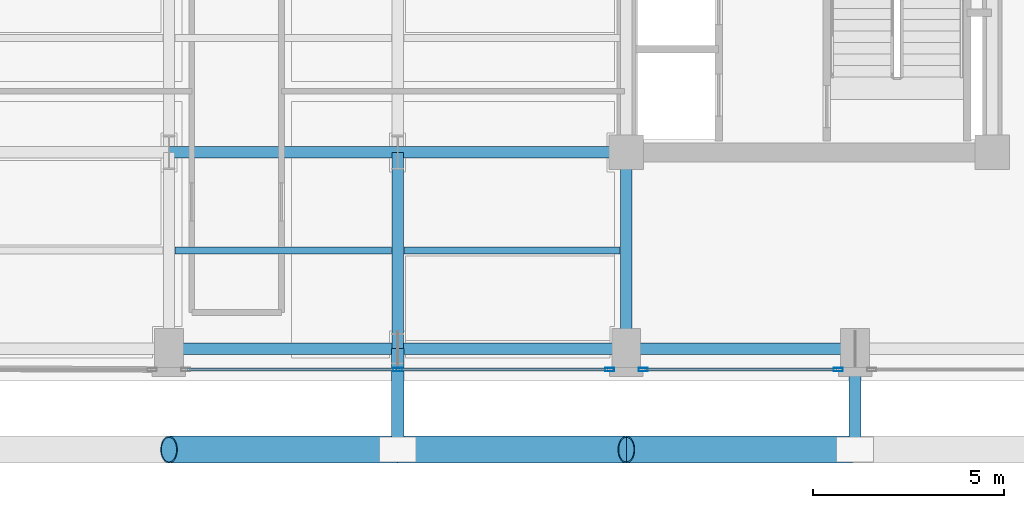
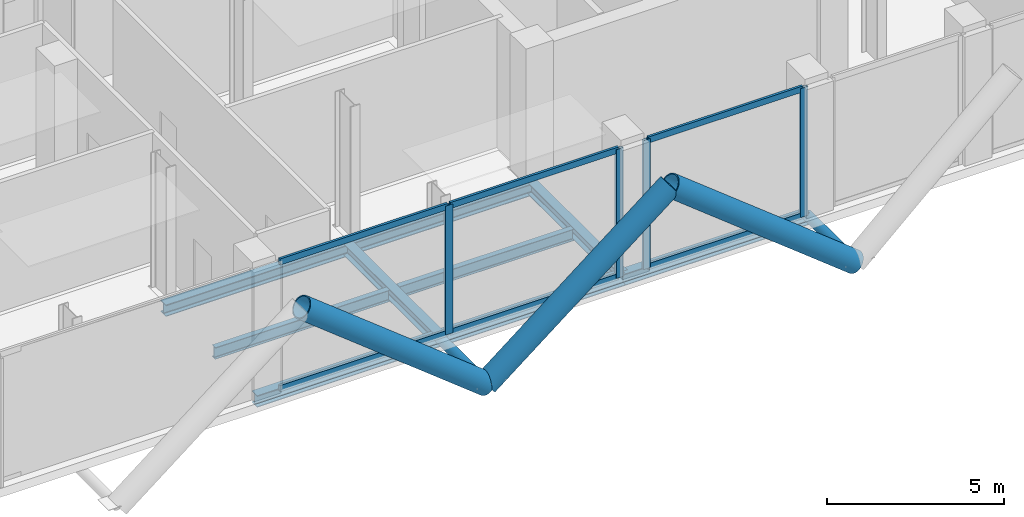
# One storey, part 3 of 19: 15 members, 9 beams, 2 elements without a shape of their own.
"""IFC4 building model written with IfcOpenShell, lengths in metres."""

from ifc_helpers import new_model, si_unit, direction, frame, origin, origin_2d, place, context, subcontext, project, spatial, hollow_rectangle, hollow_circle, i_section, extrude, material, layer, layer_set, material_profile, profile_set, type_object, element, aggregate, save


model = new_model("IFC4")

# Units and contexts
model_context = context("Model", 3, precision=1e-05, world=origin(), true_north=direction((0.0, 1.0)))
body_context = subcontext(model_context, "Body", "Model", "MODEL_VIEW")
ifc_project = project(units=[si_unit("LENGTHUNIT", "METRE"), si_unit("AREAUNIT", "SQUARE_METRE"), si_unit("VOLUMEUNIT", "CUBIC_METRE"), si_unit("PLANEANGLEUNIT", "RADIAN"), si_unit("MASSUNIT", "GRAM", prefix="KILO"), si_unit("THERMODYNAMICTEMPERATUREUNIT", "KELVIN"), si_unit("POWERUNIT", "WATT")], contexts=[model_context])

# Site, building, storey
site_placement = place(None, origin())
site = spatial("IfcSite", under=ifc_project, at=site_placement, CompositionType="ELEMENT")
building_placement = place(site_placement, origin())
building = spatial("IfcBuilding", under=site, at=building_placement, Name="Svarakhadi Broadcast Tower", CompositionType="ELEMENT")
storey_placement = place(building_placement, frame((0.0, 0.0, 204.0)))
storey = spatial("IfcBuildingStorey", under=building, at=storey_placement, Name="L50", CompositionType="ELEMENT", Elevation=204.0)

# Beams
ifc_material_1 = material(Name="Steel S355J2 (IS 2062 E350C)", Category="steel")
ifc_material_profile_1 = material_profile(ifc_material_1, i_section(OverallWidth=0.179931640625, OverallDepth=0.39990234375, WebThickness=0.008544921875, FlangeThickness=0.013427734375, FilletRadius=0.02099609375, at=origin_2d()), Name="NPB 400x180x66")
ifc_profile_set_1 = profile_set([ifc_material_profile_1], Name="Steel S355J2 (IS 2062 E350C)")
beam_type_1 = type_object("IfcBeamType", Name="Beam_NPB400", PredefinedType="BEAM", material=ifc_profile_set_1)
for number, where, z_axis, x_axis, name in (
    (1, (12.159912109375, 3.425048828125, -0.5), (1.0, 0.0, 0.0), (0.0, 1.0, 0.0), "L50 Secondary Composite Beam SB009"),
    (2, (18.159912109375, 3.425048828125, -0.5), (1.0, 0.0, 0.0), (0.0, 1.0, 0.0), "L50 Secondary Composite Beam SB013"),
):
    element("IfcBeam", number, at=place(storey_placement, frame(where, z_axis=z_axis, x_axis=x_axis)), inside=storey, type_object=beam_type_1, Name=name, PredefinedType="BEAM", context=body_context, shape_type="SweptSolid", body=[
        extrude(i_section(OverallWidth=0.179931640625, OverallDepth=0.39990234375, WebThickness=0.008544921875, FlangeThickness=0.013427734375, FilletRadius=0.02099609375, at=origin_2d()), origin(), (0.0, 0.0, 1.0), 5.68017578125),
    ])

# Curtain wall, members
ifc_material_2 = material(Name="Anodised Bronze Aluminium AA 6063-T6", Category="aluminium")
ifc_layer = layer(ifc_material_2, 0.239990234375)
ifc_layer_set = layer_set([ifc_layer], Name="Anodised Bronze Aluminium AA 6063-T6")
curtain_wall_type = type_object("IfcCurtainWallType", Name="CW_Sys_06", PredefinedType="NOTDEFINED", material=ifc_layer_set)
curtain_wall_1_placement = place(storey_placement, origin())
curtain_wall_1 = element("IfcCurtainWall", 3, at=curtain_wall_1_placement, inside=storey, type_object=curtain_wall_type, Name="L50 South Curtain Wall 14 Bay 3", PredefinedType="NOTDEFINED")
ifc_material_profile_2 = material_profile(ifc_material_2, hollow_rectangle(XDim=0.090087890625, YDim=0.239990234375, WallThickness=0.006103515625, at=origin_2d()), Name="ALU MULLION 240x90x6")
ifc_profile_set_2 = profile_set([ifc_material_profile_2], Name="Anodised Bronze Aluminium AA 6063-T6")
member_type_1 = type_object("IfcMemberType", Name="CW_Sys_06_Mul", PredefinedType="MULLION", material=ifc_profile_set_2)
member_1_placement = place(storey_placement, frame((29.56005859375, 0.300048828125, 0.0), z_axis=(0.0, 0.0, 1.0), x_axis=(0.0, -1.0, 0.0)))
member_1 = element("IfcMember", 4, at=member_1_placement, type_object=member_type_1, Name="CW-06 mullion 1", PredefinedType="MULLION", context=body_context, shape_type="SweptSolid", body=[
    extrude(hollow_rectangle(XDim=0.090087890625, YDim=0.239990234375, WallThickness=0.006103515625, at=origin_2d()), origin(), (0.0, 0.0, 1.0), 4.43994140625),
])
member_2_placement = place(storey_placement, frame((24.43994140625, 0.300048828125, 0.0), z_axis=(0.0, 0.0, 1.0), x_axis=(0.0, -1.0, 0.0)))
member_2 = element("IfcMember", 5, at=member_2_placement, type_object=member_type_1, Name="CW-06 mullion 2", PredefinedType="MULLION", context=body_context, shape_type="SweptSolid", body=[
    extrude(hollow_rectangle(XDim=0.090087890625, YDim=0.239990234375, WallThickness=0.006103515625, at=origin_2d()), origin(), (0.0, 0.0, 1.0), 4.43994140625),
])

curtain_wall_2_placement = place(storey_placement, origin())
curtain_wall_2 = element("IfcCurtainWall", 6, at=curtain_wall_2_placement, inside=storey, type_object=curtain_wall_type, Name="L50 South Curtain Wall 14 Bay 4", PredefinedType="NOTDEFINED")
member_3_placement = place(storey_placement, frame((23.56005859375, 0.300048828125, 0.0), z_axis=(0.0, 0.0, 1.0), x_axis=(0.0, -1.0, 0.0)))
member_3 = element("IfcMember", 7, at=member_3_placement, type_object=member_type_1, Name="CW-06 mullion 1", PredefinedType="MULLION", context=body_context, shape_type="SweptSolid", body=[
    extrude(hollow_rectangle(XDim=0.090087890625, YDim=0.239990234375, WallThickness=0.006103515625, at=origin_2d()), origin(), (0.0, 0.0, 1.0), 4.43994140625),
])
member_4_placement = place(storey_placement, frame((18.0, 0.300048828125, 0.0), z_axis=(0.0, 0.0, 1.0), x_axis=(0.0, -1.0, 0.0)))
member_4 = element("IfcMember", 8, at=member_4_placement, type_object=member_type_1, Name="CW-06 mullion 2", PredefinedType="MULLION", context=body_context, shape_type="SweptSolid", body=[
    extrude(hollow_rectangle(XDim=0.090087890625, YDim=0.239990234375, WallThickness=0.006103515625, at=origin_2d()), origin(), (0.0, 0.0, 1.0), 4.43994140625),
])

# Member
ifc_material_profile_3 = material_profile(ifc_material_2, hollow_rectangle(XDim=0.080078125, YDim=0.2099609375, WallThickness=0.0048828125, at=origin_2d()), Name="ALU TRANSOM 210x80x5")
ifc_profile_set_3 = profile_set([ifc_material_profile_3], Name="Anodised Bronze Aluminium AA 6063-T6")
member_type_2 = type_object("IfcMemberType", Name="CW_Sys_06_Trn", PredefinedType="USERDEFINED", material=ifc_profile_set_3)
member_5_placement = place(storey_placement, frame((29.514892578125, 0.300048828125, 0.0400390625), z_axis=(-1.0, 0.0, 0.0), x_axis=(0.0, -1.0, 0.0)))
member_5 = element("IfcMember", 9, at=member_5_placement, type_object=member_type_2, Name="CW-06 transom 1.1", ObjectType="TRANSOM", PredefinedType="USERDEFINED", context=body_context, shape_type="SweptSolid", body=[
    extrude(hollow_rectangle(XDim=0.080078125, YDim=0.2099609375, WallThickness=0.0048828125, at=origin_2d()), origin(), (0.0, 0.0, 1.0), 5.02978515625),
])

member_6_placement = place(storey_placement, frame((29.514892578125, 0.300048828125, 4.39990234375), z_axis=(-1.0, 0.0, 0.0), x_axis=(0.0, -1.0, 0.0)))
member_6 = element("IfcMember", 10, at=member_6_placement, type_object=member_type_2, Name="CW-06 transom 1.2", ObjectType="TRANSOM", PredefinedType="USERDEFINED", context=body_context, shape_type="SweptSolid", body=[
    extrude(hollow_rectangle(XDim=0.080078125, YDim=0.2099609375, WallThickness=0.0048828125, at=origin_2d()), origin(), (0.0, 0.0, 1.0), 5.02978515625),
])

aggregate(curtain_wall_1, [member_1, member_2, member_5, member_6])

member_7_placement = place(storey_placement, frame((23.514892578125, 0.300048828125, 0.0400390625), z_axis=(-1.0, 0.0, 0.0), x_axis=(0.0, -1.0, 0.0)))
member_7 = element("IfcMember", 11, at=member_7_placement, type_object=member_type_2, Name="CW-06 transom 1.1", ObjectType="TRANSOM", PredefinedType="USERDEFINED", context=body_context, shape_type="SweptSolid", body=[
    extrude(hollow_rectangle(XDim=0.080078125, YDim=0.2099609375, WallThickness=0.0048828125, at=origin_2d()), origin(), (0.0, 0.0, 1.0), 5.469970703125),
])

member_8_placement = place(storey_placement, frame((23.514892578125, 0.300048828125, 4.39990234375), z_axis=(-1.0, 0.0, 0.0), x_axis=(0.0, -1.0, 0.0)))
member_8 = element("IfcMember", 12, at=member_8_placement, type_object=member_type_2, Name="CW-06 transom 1.2", ObjectType="TRANSOM", PredefinedType="USERDEFINED", context=body_context, shape_type="SweptSolid", body=[
    extrude(hollow_rectangle(XDim=0.080078125, YDim=0.2099609375, WallThickness=0.0048828125, at=origin_2d()), origin(), (0.0, 0.0, 1.0), 5.469970703125),
])

member_9_placement = place(storey_placement, frame((17.955078125, 0.300048828125, 0.0400390625), z_axis=(-1.0, 0.0, 0.0), x_axis=(0.0, -1.0, 0.0)))
member_9 = element("IfcMember", 13, at=member_9_placement, type_object=member_type_2, Name="CW-06 transom 2.1", ObjectType="TRANSOM", PredefinedType="USERDEFINED", context=body_context, shape_type="SweptSolid", body=[
    extrude(hollow_rectangle(XDim=0.080078125, YDim=0.2099609375, WallThickness=0.0048828125, at=origin_2d()), origin(), (0.0, 0.0, 1.0), 5.469970703125),
])

member_10_placement = place(storey_placement, frame((17.955078125, 0.300048828125, 4.39990234375), z_axis=(-1.0, 0.0, 0.0), x_axis=(0.0, -1.0, 0.0)))
member_10 = element("IfcMember", 14, at=member_10_placement, type_object=member_type_2, Name="CW-06 transom 2.2", ObjectType="TRANSOM", PredefinedType="USERDEFINED", context=body_context, shape_type="SweptSolid", body=[
    extrude(hollow_rectangle(XDim=0.080078125, YDim=0.2099609375, WallThickness=0.0048828125, at=origin_2d()), origin(), (0.0, 0.0, 1.0), 5.469970703125),
])

aggregate(curtain_wall_2, [member_3, member_4, member_7, member_8, member_9, member_10])

# Members
ifc_material_3 = material(Name="Steel S460ML (IS 2062 E450BR)", Category="steel")
ifc_material_profile_4 = material_profile(ifc_material_3, hollow_circle(Radius=0.35546875, WallThickness=0.034912109375, at=origin_2d()), Name="CHS 711x35")
ifc_profile_set_4 = profile_set([ifc_material_profile_4], Name="Steel S460ML (IS 2062 E450BR)")
member_type_3 = type_object("IfcMemberType", Name="Exo_Brace_CHS711", PredefinedType="BRACE", material=ifc_profile_set_4)
for number, where, z_axis, x_axis, name in (
    (15, (18.0, -1.800048828125, -0.4619140625), (-0.784682488402, 0.0, 0.619897888685), (0.0, -1.0, 0.0), "L50 Exposed Bronze Exoskeleton Diagonal S02"),
    (16, (18.0, -1.800048828125, -0.4619140625), (0.784682488402, 0.0, 0.619897888685), (0.0, 1.0, 0.0), "L50 Exposed Bronze Exoskeleton Diagonal S03"),
    (17, (30.0, -1.800048828125, -0.4619140625), (-0.784682488402, 0.0, 0.619897888685), (0.0, -1.0, 0.0), "L50 Exposed Bronze Exoskeleton Diagonal S04"),
):
    element("IfcMember", number, at=place(storey_placement, frame(where, z_axis=z_axis, x_axis=x_axis)), inside=storey, type_object=member_type_3, Name=name, PredefinedType="BRACE", context=body_context, shape_type="SweptSolid", body=[
        extrude(hollow_circle(Radius=0.35546875, WallThickness=0.034912109375, at=origin_2d()), origin(), (0.0, 0.0, 1.0), 7.646484375),
    ])
ifc_material_profile_5 = material_profile(ifc_material_3, hollow_circle(Radius=0.161865234375, WallThickness=0.01611328125, at=origin_2d()), Name="CHS 323.9x16")
ifc_profile_set_5 = profile_set([ifc_material_profile_5], Name="Steel S460ML (IS 2062 E450BR)")
member_type_4 = type_object("IfcMemberType", Name="Exo_Radial_Strut_Z2", PredefinedType="STRUT", material=ifc_profile_set_5)
for number, where, z_axis, x_axis, name in (
    (18, (18.0, -1.800048828125, -0.4619140625), (0.0, 1.0, 0.0), (-1.0, 0.0, 0.0), "L50 Exoskeleton Radial Tie Strut S02"),
    (19, (30.0, -1.800048828125, -0.4619140625), (0.0, 1.0, 0.0), (-1.0, 0.0, 0.0), "L50 Exoskeleton Radial Tie Strut S03"),
):
    element("IfcMember", number, at=place(storey_placement, frame(where, z_axis=z_axis, x_axis=x_axis)), inside=storey, type_object=member_type_4, Name=name, PredefinedType="STRUT", context=body_context, shape_type="SweptSolid", body=[
        extrude(hollow_circle(Radius=0.161865234375, WallThickness=0.01611328125, at=origin_2d()), origin(), (0.0, 0.0, 1.0), 2.650146484375),
    ])

# Beams
ifc_material_profile_6 = material_profile(ifc_material_1, i_section(OverallWidth=0.300048828125, OverallDepth=0.39990234375, WebThickness=0.013427734375, FlangeThickness=0.02392578125, FilletRadius=0.027099609375, at=origin_2d()), Name="WPB 400x300x155")
ifc_profile_set_6 = profile_set([ifc_material_profile_6], Name="Steel S355J2 (IS 2062 E350C)")
beam_type_2 = type_object("IfcBeamType", Name="Girder_WPB400", PredefinedType="USERDEFINED", material=ifc_profile_set_6)
for number, where, z_axis, x_axis, name in (
    (20, (12.0, 0.85009765625, -0.5), (1.0, 0.0, 0.0), (0.0, 1.0, 0.0), "L50 Primary E-W Girder G005"),
    (21, (18.0, 0.85009765625, -0.5), (1.0, 0.0, 0.0), (0.0, 1.0, 0.0), "L50 Primary E-W Girder G006"),
    (22, (24.0, 0.85009765625, -0.5), (1.0, 0.0, 0.0), (0.0, 1.0, 0.0), "L50 Primary E-W Girder G007"),
    (23, (12.0, 6.0, -0.5), (1.0, 0.0, 0.0), (0.0, 1.0, 0.0), "L50 Primary E-W Girder G011"),
    (24, (18.0, 6.0, -0.5), (1.0, 0.0, 0.0), (0.0, 1.0, 0.0), "L50 Primary E-W Girder G012"),
):
    element("IfcBeam", number, at=place(storey_placement, frame(where, z_axis=z_axis, x_axis=x_axis)), inside=storey, type_object=beam_type_2, Name=name, ObjectType="GIRDER", PredefinedType="USERDEFINED", context=body_context, shape_type="SweptSolid", body=[
        extrude(i_section(OverallWidth=0.300048828125, OverallDepth=0.39990234375, WebThickness=0.013427734375, FlangeThickness=0.02392578125, FilletRadius=0.027099609375, at=origin_2d()), origin(), (0.0, 0.0, 1.0), 6.0),
    ])
for number, where, z_axis, x_axis, name in (
    (25, (18.0, 0.85009765625, -0.5), (0.0, 1.0, 0.0), (-1.0, 0.0, 0.0), "L50 Primary N-S Girder G046"),
    (26, (24.0, 0.85009765625, -0.5), (0.0, 1.0, 0.0), (-1.0, 0.0, 0.0), "L50 Primary N-S Girder G051"),
):
    element("IfcBeam", number, at=place(storey_placement, frame(where, z_axis=z_axis, x_axis=x_axis)), inside=storey, type_object=beam_type_2, Name=name, ObjectType="GIRDER", PredefinedType="USERDEFINED", context=body_context, shape_type="SweptSolid", body=[
        extrude(i_section(OverallWidth=0.300048828125, OverallDepth=0.39990234375, WebThickness=0.013427734375, FlangeThickness=0.02392578125, FilletRadius=0.027099609375, at=origin_2d()), origin(), (0.0, 0.0, 1.0), 5.14990234375),
    ])

save(model, "model.ifc")
